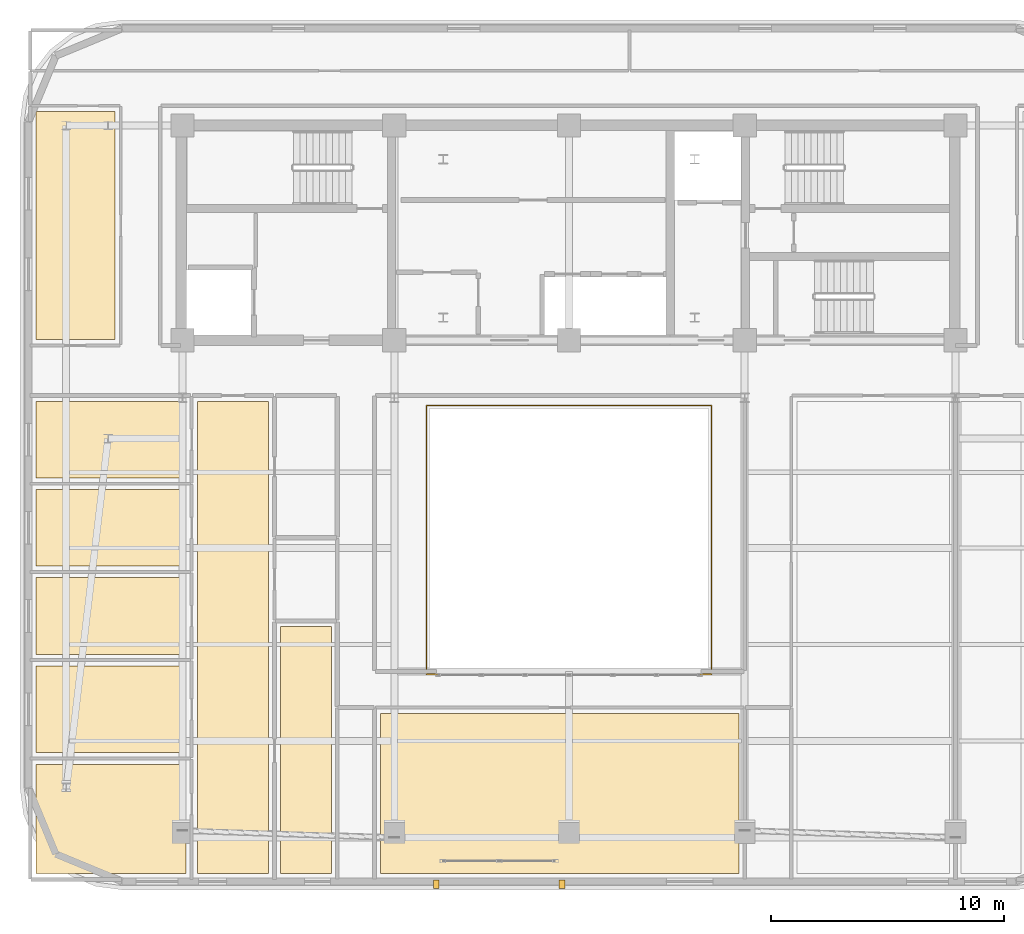
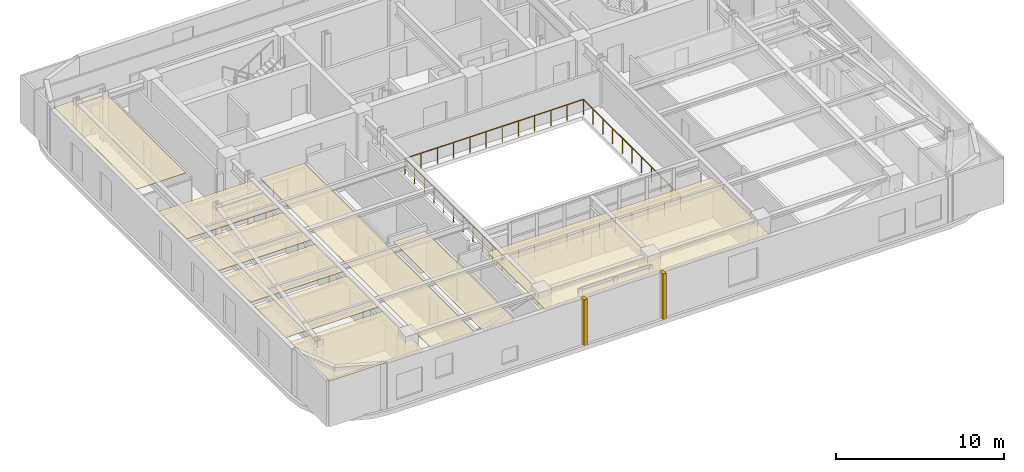
# One storey, part 11 of 14: 11 coverings, 1 railing.
"""IFC4 building model written with IfcOpenShell, lengths in metres."""

from ifc_helpers import new_model, si_unit, direction, frame, origin, origin_2d, place, context, subcontext, project, spatial, polyline, rectangle, outline, extrude, material, layer, layer_set, type_object, element, save


model = new_model("IFC4")

# Units and contexts
model_context = context("Model", 3, precision=1e-05, world=origin(), true_north=direction((0.0, 1.0)))
body_context = subcontext(model_context, "Body", "Model", "MODEL_VIEW")
ifc_project = project(units=[si_unit("LENGTHUNIT", "METRE"), si_unit("AREAUNIT", "SQUARE_METRE"), si_unit("VOLUMEUNIT", "CUBIC_METRE"), si_unit("PLANEANGLEUNIT", "RADIAN"), si_unit("MASSUNIT", "GRAM", prefix="KILO")], contexts=[model_context])

# Site, building, storey
site_placement = place(None, origin())
site = spatial("IfcSite", under=ifc_project, at=site_placement, CompositionType="ELEMENT")
building_placement = place(site_placement, origin())
building = spatial("IfcBuilding", under=site, at=building_placement, Name="Zarnavel Station Tower", CompositionType="ELEMENT")
storey_placement = place(building_placement, frame((0.0, 0.0, 214.800048828125)))
storey = spatial("IfcBuildingStorey", under=building, at=storey_placement, Name="L58", CompositionType="ELEMENT", Elevation=214.800048828125)

# Coverings
ifc_material_1 = material(Name="Perforated Gypsum and Mineral-Wool Acoustic Ceiling", Category="concrete")
ifc_layer = layer(ifc_material_1, 0.0400390625)
ifc_layer_set = layer_set([ifc_layer], Name="COV_CEIL_ACOUSTIC")
covering_type_1 = type_object("IfcCoveringType", Name="COV_CEIL_ACOUSTIC", PredefinedType="CEILING", material=ifc_layer_set)
covering_1_placement = place(storey_placement, frame((0.0, 0.0, 3.02001953125)))
element("IfcCovering", 1, at=covering_1_placement, inside=storey, type_object=covering_type_1, Name="L58 FNW Acoustic Ceiling", PredefinedType="CEILING", context=body_context, shape_type="SweptSolid", body=[
    extrude(outline(polyline([(5.909912109375, 27.85009765625), (9.300048828125, 27.85009765625), (9.300048828125, 37.64990234375), (5.909912109375, 37.64990234375), (5.909912109375, 27.85009765625)])), origin(), (0.0, 0.0, 1.0), 0.0400390625),
])
covering_2_placement = place(storey_placement, frame((0.0, 0.0, 3.02001953125)))
element("IfcCovering", 2, at=covering_2_placement, inside=storey, type_object=covering_type_1, Name="L58 UW1LV Acoustic Ceiling", PredefinedType="CEILING", context=body_context, shape_type="SweptSolid", body=[
    extrude(outline(polyline([(12.841064453125, 4.909912109375), (15.89990234375, 4.909912109375), (15.89990234375, 25.199951171875), (12.841064453125, 25.199951171875), (12.841064453125, 4.909912109375)])), origin(), (0.0, 0.0, 1.0), 0.0400390625),
])
covering_3_placement = place(storey_placement, frame((0.0, 0.0, 3.02001953125)))
element("IfcCovering", 3, at=covering_3_placement, inside=storey, type_object=covering_type_1, Name="L58 UW1KT Acoustic Ceiling", PredefinedType="CEILING", context=body_context, shape_type="SweptSolid", body=[
    extrude(outline(polyline([(16.39990234375, 4.909912109375), (18.60009765625, 4.909912109375), (18.60009765625, 15.52099609375), (16.39990234375, 15.52099609375), (16.39990234375, 4.909912109375)])), origin(), (0.0, 0.0, 1.0), 0.0400390625),
])
covering_4_placement = place(storey_placement, frame((0.0, 0.0, 3.02001953125)))
element("IfcCovering", 4, at=covering_4_placement, inside=storey, type_object=covering_type_1, Name="L58 UW1B1 Acoustic Ceiling", PredefinedType="CEILING", context=body_context, shape_type="SweptSolid", body=[
    extrude(outline(polyline([(5.909912109375, 4.909912109375), (12.341064453125, 4.909912109375), (12.341064453125, 9.60693359375), (5.909912109375, 9.60693359375), (5.909912109375, 4.909912109375)])), origin(), (0.0, 0.0, 1.0), 0.0400390625),
])
covering_5_placement = place(storey_placement, frame((0.0, 0.0, 3.02001953125)))
element("IfcCovering", 5, at=covering_5_placement, inside=storey, type_object=covering_type_1, Name="L58 UW1B2 Acoustic Ceiling", PredefinedType="CEILING", context=body_context, shape_type="SweptSolid", body=[
    extrude(outline(polyline([(5.909912109375, 10.10693359375), (12.341064453125, 10.10693359375), (12.341064453125, 13.8349609375), (5.909912109375, 13.8349609375), (5.909912109375, 10.10693359375)])), origin(), (0.0, 0.0, 1.0), 0.0400390625),
])
covering_6_placement = place(storey_placement, frame((0.0, 0.0, 3.02001953125)))
element("IfcCovering", 6, at=covering_6_placement, inside=storey, type_object=covering_type_1, Name="L58 UW1B3 Acoustic Ceiling", PredefinedType="CEILING", context=body_context, shape_type="SweptSolid", body=[
    extrude(outline(polyline([(5.909912109375, 14.3349609375), (12.341064453125, 14.3349609375), (12.341064453125, 17.623046875), (5.909912109375, 17.623046875), (5.909912109375, 14.3349609375)])), origin(), (0.0, 0.0, 1.0), 0.0400390625),
])
covering_7_placement = place(storey_placement, frame((0.0, 0.0, 3.02001953125)))
element("IfcCovering", 7, at=covering_7_placement, inside=storey, type_object=covering_type_1, Name="L58 UW1B4 Acoustic Ceiling", PredefinedType="CEILING", context=body_context, shape_type="SweptSolid", body=[
    extrude(outline(polyline([(5.909912109375, 18.123046875), (12.341064453125, 18.123046875), (12.341064453125, 21.410888671875), (5.909912109375, 21.410888671875), (5.909912109375, 18.123046875)])), origin(), (0.0, 0.0, 1.0), 0.0400390625),
])
covering_8_placement = place(storey_placement, frame((0.0, 0.0, 3.02001953125)))
element("IfcCovering", 8, at=covering_8_placement, inside=storey, type_object=covering_type_1, Name="L58 UW1B5 Acoustic Ceiling", PredefinedType="CEILING", context=body_context, shape_type="SweptSolid", body=[
    extrude(outline(polyline([(5.909912109375, 21.910888671875), (12.341064453125, 21.910888671875), (12.341064453125, 25.199951171875), (5.909912109375, 25.199951171875), (5.909912109375, 21.910888671875)])), origin(), (0.0, 0.0, 1.0), 0.0400390625),
])
covering_9_placement = place(storey_placement, frame((0.0, 0.0, 3.02001953125)))
element("IfcCovering", 9, at=covering_9_placement, inside=storey, type_object=covering_type_1, Name="L58 L57WIN Acoustic Ceiling", PredefinedType="CEILING", context=body_context, shape_type="SweptSolid", body=[
    extrude(outline(polyline([(20.699951171875, 4.909912109375), (36.10009765625, 4.909912109375), (36.10009765625, 11.800048828125), (20.699951171875, 11.800048828125), (20.699951171875, 4.909912109375)])), origin(), (0.0, 0.0, 1.0), 0.0400390625),
])
ifc_material_2 = material(Name="Precast concrete C45/55 (Pale Travertine Slab Band)", Category="masonry")
covering_type_2 = type_object("IfcCoveringType", Name="COV_TRAVERTINE_BAND", PredefinedType="CLADDING", material=ifc_material_2)
for number, where, z_axis, x_axis, name in (
    (10, (23.10009765625, 4.449951171875, 0.0), (0.0, 0.0, 1.0), (1.0, 0.0, 0.0), "L58 Travertine Portal Loggia Vertical Jog West"),
    (11, (28.5, 4.449951171875, 0.0), (0.0, 0.0, 1.0), (1.0, 0.0, 0.0), "L58 Travertine Portal Loggia Vertical Jog East"),
):
    element("IfcCovering", number, at=place(storey_placement, frame(where, z_axis=z_axis, x_axis=x_axis)), inside=storey, type_object=covering_type_2, Name=name, PredefinedType="CLADDING", context=body_context, shape_type="SweptSolid", body=[
        extrude(rectangle(XDim=0.239990234375, YDim=0.360107421875, at=origin_2d()), origin(), (0.0, 0.0, 1.0), 3.340087890625),
    ])

# Railing
ifc_material_3 = material(Name="Painted Steel S355J2 Balustrade", Category="steel")
railing_type = type_object("IfcRailingType", Name="GR_INT_1150", PredefinedType="GUARDRAIL", material=ifc_material_3)
railing_placement = place(storey_placement, frame((22.679931640625, 13.47998046875, 0.0)))
element("IfcRailing", 12, at=railing_placement, inside=storey, type_object=railing_type, Name="L58 Atrium Void Guardrail", PredefinedType="GUARDRAIL", context=body_context, shape_type="SweptSolid", body=[
    extrude(rectangle(XDim=0.048095703125, YDim=0.048095703125, at=origin_2d()), frame((0.001953125, 0.0, 1.1259765625), z_axis=(1.0, 0.0, 0.0), x_axis=(0.0, 1.0, 0.0)), (0.0, 0.0, 1.0), 12.236083984375),
    extrude(rectangle(XDim=0.048095703125, YDim=0.048095703125, at=origin_2d()), frame((12.239990234375, 0.001953125, 1.1259765625), z_axis=(0.0, 1.0, 0.0), x_axis=(-1.0, 0.0, 0.0)), (0.0, 0.0, 1.0), 11.5361328125),
    extrude(rectangle(XDim=0.048095703125, YDim=0.048095703125, at=origin_2d()), frame((12.238037109375, 11.5400390625, 1.1259765625), z_axis=(-1.0, 0.0, 0.0), x_axis=(0.0, -1.0, 0.0)), (0.0, 0.0, 1.0), 12.236083984375),
    extrude(rectangle(XDim=0.048095703125, YDim=0.048095703125, at=origin_2d()), frame((0.0, 11.5380859375, 1.1259765625), z_axis=(0.0, -1.0, 0.0), x_axis=(1.0, 0.0, 0.0)), (0.0, 0.0, 1.0), 11.5361328125),
    extrude(rectangle(XDim=0.0419921875, YDim=0.0419921875, at=origin_2d()), origin(), (0.0, 0.0, 1.0), 1.101806640625),
    extrude(rectangle(XDim=0.0419921875, YDim=0.0419921875, at=origin_2d()), frame((1.11279296875, 0.0, 0.0)), (0.0, 0.0, 1.0), 1.101806640625),
    extrude(rectangle(XDim=0.0419921875, YDim=0.0419921875, at=origin_2d()), frame((2.225341796875, 0.0, 0.0)), (0.0, 0.0, 1.0), 1.101806640625),
    extrude(rectangle(XDim=0.0419921875, YDim=0.0419921875, at=origin_2d()), frame((3.338134765625, 0.0, 0.0)), (0.0, 0.0, 1.0), 1.101806640625),
    extrude(rectangle(XDim=0.0419921875, YDim=0.0419921875, at=origin_2d()), frame((4.450927734375, 0.0, 0.0)), (0.0, 0.0, 1.0), 1.101806640625),
    extrude(rectangle(XDim=0.0419921875, YDim=0.0419921875, at=origin_2d()), frame((5.563720703125, 0.0, 0.0)), (0.0, 0.0, 1.0), 1.101806640625),
    extrude(rectangle(XDim=0.0419921875, YDim=0.0419921875, at=origin_2d()), frame((6.67626953125, 0.0, 0.0)), (0.0, 0.0, 1.0), 1.101806640625),
    extrude(rectangle(XDim=0.0419921875, YDim=0.0419921875, at=origin_2d()), frame((7.7890625, 0.0, 0.0)), (0.0, 0.0, 1.0), 1.101806640625),
    extrude(rectangle(XDim=0.0419921875, YDim=0.0419921875, at=origin_2d()), frame((8.90185546875, 0.0, 0.0)), (0.0, 0.0, 1.0), 1.101806640625),
    extrude(rectangle(XDim=0.0419921875, YDim=0.0419921875, at=origin_2d()), frame((10.0146484375, 0.0, 0.0)), (0.0, 0.0, 1.0), 1.101806640625),
    extrude(rectangle(XDim=0.0419921875, YDim=0.0419921875, at=origin_2d()), frame((11.127197265625, 0.0, 0.0)), (0.0, 0.0, 1.0), 1.101806640625),
    extrude(rectangle(XDim=0.0419921875, YDim=0.0419921875, at=origin_2d()), frame((12.239990234375, 0.0, 0.0)), (0.0, 0.0, 1.0), 1.101806640625),
    extrude(rectangle(XDim=0.0419921875, YDim=0.0419921875, at=origin_2d()), frame((12.239990234375, 1.154052734375, 0.0)), (0.0, 0.0, 1.0), 1.101806640625),
    extrude(rectangle(XDim=0.0419921875, YDim=0.0419921875, at=origin_2d()), frame((12.239990234375, 2.30810546875, 0.0)), (0.0, 0.0, 1.0), 1.101806640625),
    extrude(rectangle(XDim=0.0419921875, YDim=0.0419921875, at=origin_2d()), frame((12.239990234375, 3.4619140625, 0.0)), (0.0, 0.0, 1.0), 1.101806640625),
    extrude(rectangle(XDim=0.0419921875, YDim=0.0419921875, at=origin_2d()), frame((12.239990234375, 4.615966796875, 0.0)), (0.0, 0.0, 1.0), 1.101806640625),
    extrude(rectangle(XDim=0.0419921875, YDim=0.0419921875, at=origin_2d()), frame((12.239990234375, 5.77001953125, 0.0)), (0.0, 0.0, 1.0), 1.101806640625),
    extrude(rectangle(XDim=0.0419921875, YDim=0.0419921875, at=origin_2d()), frame((12.239990234375, 6.924072265625, 0.0)), (0.0, 0.0, 1.0), 1.101806640625),
    extrude(rectangle(XDim=0.0419921875, YDim=0.0419921875, at=origin_2d()), frame((12.239990234375, 8.078125, 0.0)), (0.0, 0.0, 1.0), 1.101806640625),
    extrude(rectangle(XDim=0.0419921875, YDim=0.0419921875, at=origin_2d()), frame((12.239990234375, 9.23193359375, 0.0)), (0.0, 0.0, 1.0), 1.101806640625),
    extrude(rectangle(XDim=0.0419921875, YDim=0.0419921875, at=origin_2d()), frame((12.239990234375, 10.385986328125, 0.0)), (0.0, 0.0, 1.0), 1.101806640625),
    extrude(rectangle(XDim=0.0419921875, YDim=0.0419921875, at=origin_2d()), frame((12.239990234375, 11.5400390625, 0.0)), (0.0, 0.0, 1.0), 1.101806640625),
    extrude(rectangle(XDim=0.0419921875, YDim=0.0419921875, at=origin_2d()), frame((11.127197265625, 11.5400390625, 0.0)), (0.0, 0.0, 1.0), 1.101806640625),
    extrude(rectangle(XDim=0.0419921875, YDim=0.0419921875, at=origin_2d()), frame((10.0146484375, 11.5400390625, 0.0)), (0.0, 0.0, 1.0), 1.101806640625),
    extrude(rectangle(XDim=0.0419921875, YDim=0.0419921875, at=origin_2d()), frame((8.90185546875, 11.5400390625, 0.0)), (0.0, 0.0, 1.0), 1.101806640625),
    extrude(rectangle(XDim=0.0419921875, YDim=0.0419921875, at=origin_2d()), frame((7.7890625, 11.5400390625, 0.0)), (0.0, 0.0, 1.0), 1.101806640625),
    extrude(rectangle(XDim=0.0419921875, YDim=0.0419921875, at=origin_2d()), frame((6.67626953125, 11.5400390625, 0.0)), (0.0, 0.0, 1.0), 1.101806640625),
    extrude(rectangle(XDim=0.0419921875, YDim=0.0419921875, at=origin_2d()), frame((5.563720703125, 11.5400390625, 0.0)), (0.0, 0.0, 1.0), 1.101806640625),
    extrude(rectangle(XDim=0.0419921875, YDim=0.0419921875, at=origin_2d()), frame((4.450927734375, 11.5400390625, 0.0)), (0.0, 0.0, 1.0), 1.101806640625),
    extrude(rectangle(XDim=0.0419921875, YDim=0.0419921875, at=origin_2d()), frame((3.338134765625, 11.5400390625, 0.0)), (0.0, 0.0, 1.0), 1.101806640625),
    extrude(rectangle(XDim=0.0419921875, YDim=0.0419921875, at=origin_2d()), frame((2.225341796875, 11.5400390625, 0.0)), (0.0, 0.0, 1.0), 1.101806640625),
    extrude(rectangle(XDim=0.0419921875, YDim=0.0419921875, at=origin_2d()), frame((1.11279296875, 11.5400390625, 0.0)), (0.0, 0.0, 1.0), 1.101806640625),
    extrude(rectangle(XDim=0.0419921875, YDim=0.0419921875, at=origin_2d()), frame((0.0, 11.5400390625, 0.0)), (0.0, 0.0, 1.0), 1.101806640625),
    extrude(rectangle(XDim=0.0419921875, YDim=0.0419921875, at=origin_2d()), frame((0.0, 10.385986328125, 0.0)), (0.0, 0.0, 1.0), 1.101806640625),
    extrude(rectangle(XDim=0.0419921875, YDim=0.0419921875, at=origin_2d()), frame((0.0, 9.23193359375, 0.0)), (0.0, 0.0, 1.0), 1.101806640625),
    extrude(rectangle(XDim=0.0419921875, YDim=0.0419921875, at=origin_2d()), frame((0.0, 8.078125, 0.0)), (0.0, 0.0, 1.0), 1.101806640625),
    extrude(rectangle(XDim=0.0419921875, YDim=0.0419921875, at=origin_2d()), frame((0.0, 6.924072265625, 0.0)), (0.0, 0.0, 1.0), 1.101806640625),
    extrude(rectangle(XDim=0.0419921875, YDim=0.0419921875, at=origin_2d()), frame((0.0, 5.77001953125, 0.0)), (0.0, 0.0, 1.0), 1.101806640625),
    extrude(rectangle(XDim=0.0419921875, YDim=0.0419921875, at=origin_2d()), frame((0.0, 4.615966796875, 0.0)), (0.0, 0.0, 1.0), 1.101806640625),
    extrude(rectangle(XDim=0.0419921875, YDim=0.0419921875, at=origin_2d()), frame((0.0, 3.4619140625, 0.0)), (0.0, 0.0, 1.0), 1.101806640625),
    extrude(rectangle(XDim=0.0419921875, YDim=0.0419921875, at=origin_2d()), frame((0.0, 2.30810546875, 0.0)), (0.0, 0.0, 1.0), 1.101806640625),
    extrude(rectangle(XDim=0.0419921875, YDim=0.0419921875, at=origin_2d()), frame((0.0, 1.154052734375, 0.0)), (0.0, 0.0, 1.0), 1.101806640625),
])

save(model, "model.ifc")
